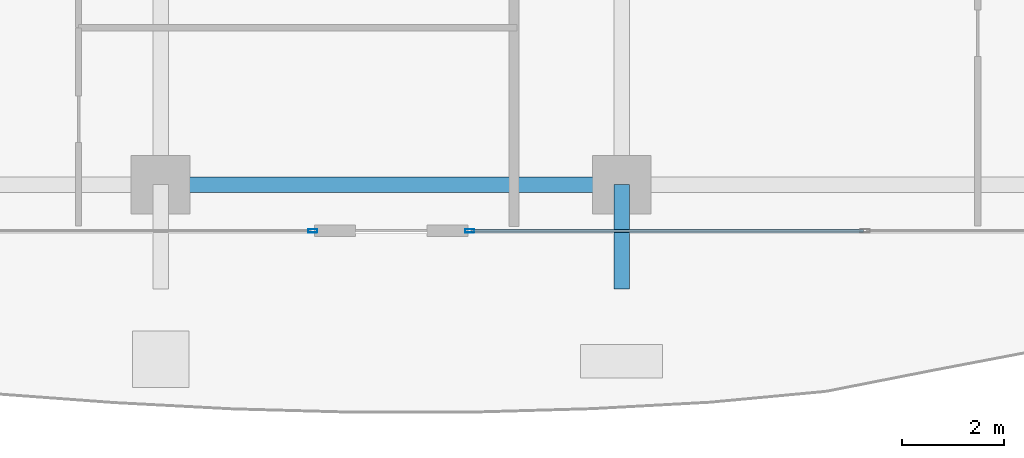
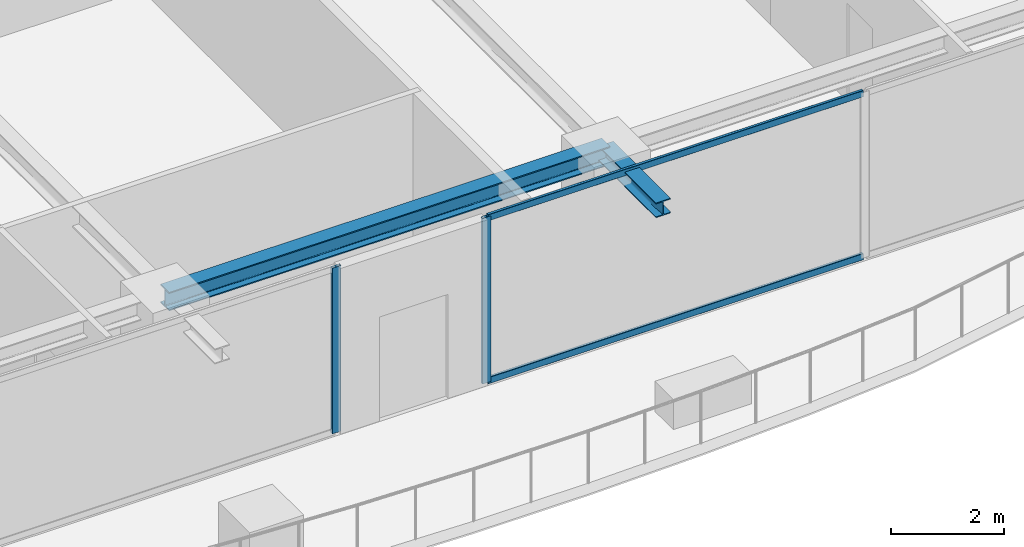
# One storey, part 5 of 37: 4 members, 2 beams, 2 elements without a shape of their own.
"""IFC4 building model written with IfcOpenShell, lengths in metres."""

from ifc_helpers import new_model, si_unit, direction, frame, origin, origin_2d, place, context, subcontext, project, spatial, hollow_rectangle, i_section, extrude, source, transform, mapped, material, layer, layer_set, material_profile, profile_set, type_object, element, aggregate, save


model = new_model("IFC4")

# Units and contexts
model_context = context("Model", 3, precision=1e-05, world=origin(), true_north=direction((0.0, 1.0)))
body_context = subcontext(model_context, "Body", "Model", "MODEL_VIEW")
ifc_project = project(units=[si_unit("LENGTHUNIT", "METRE"), si_unit("AREAUNIT", "SQUARE_METRE"), si_unit("VOLUMEUNIT", "CUBIC_METRE"), si_unit("PLANEANGLEUNIT", "RADIAN"), si_unit("MASSUNIT", "GRAM", prefix="KILO")], contexts=[model_context])

# Site, building, storey
site_placement = place(None, origin())
site = spatial("IfcSite", under=ifc_project, at=site_placement, CompositionType="ELEMENT")
building_placement = place(site_placement, origin())
building = spatial("IfcBuilding", under=site, at=building_placement, Name="Serunith Strait Residences", CompositionType="ELEMENT")
storey_placement = place(building_placement, frame((0.0, 0.0, 260.5)))
storey = spatial("IfcBuildingStorey", under=building, at=storey_placement, Name="L65", CompositionType="ELEMENT", Elevation=260.5)

# Beams
ifc_material_1 = material(Name="Steel S355J2", Category="steel")
ifc_material_profile_1 = material_profile(ifc_material_1, i_section(OverallWidth=0.300048828125, OverallDepth=0.39990234375, WebThickness=0.013427734375, FlangeThickness=0.02392578125, FilletRadius=0.027099609375, at=origin_2d()), Name="HEB 400")
ifc_profile_set_1 = profile_set([ifc_material_profile_1], Name="Steel S355J2")
beam_type_1 = type_object("IfcBeamType", Name="BM-HEB400", PredefinedType="BEAM", material=ifc_profile_set_1)
shared_shape_1 = source(origin(), body_context, "Body", "SweptSolid", [
    extrude(i_section(OverallWidth=0.300048828125, OverallDepth=0.39990234375, WebThickness=0.013427734375, FlangeThickness=0.02392578125, FilletRadius=0.027099609375, at=origin_2d()), origin(), (0.0, 0.0, 1.0), 9.0),
])
beam_1_placement = place(storey_placement, frame((27.89990234375, 2.10009765625, 3.386962890625), z_axis=(1.0, 0.0, 0.0), x_axis=(0.0, 1.0, 0.0)))
element("IfcBeam", 1, at=beam_1_placement, inside=storey, type_object=beam_type_1, Name="L65 Perimeter Ring Beam 02", PredefinedType="BEAM", context=body_context, shape_type="MappedRepresentation", body=[
    mapped(shared_shape_1, transform((0.0, 0.0, 0.0), scale=1.0)),
])
ifc_material_profile_2 = material_profile(ifc_material_1, i_section(OverallWidth=0.300048828125, OverallDepth=0.320068359375, WebThickness=0.011474609375, FlangeThickness=0.0205078125, FilletRadius=0.027099609375, at=origin_2d()), Name="HEB 320")
ifc_profile_set_2 = profile_set([ifc_material_profile_2], Name="Steel S355J2")
beam_type_2 = type_object("IfcBeamType", Name="BM-HEB320", PredefinedType="BEAM", material=ifc_profile_set_2)
shared_shape_2 = source(origin(), body_context, "Body", "SweptSolid", [
    extrude(i_section(OverallWidth=0.300048828125, OverallDepth=0.320068359375, WebThickness=0.011474609375, FlangeThickness=0.0205078125, FilletRadius=0.027099609375, at=origin_2d()), origin(), (0.0, 0.0, 1.0), 2.030029296875),
])
beam_2_placement = place(storey_placement, frame((36.89990234375, 2.10009765625, 3.39697265625), z_axis=(0.0, -1.0, 0.0), x_axis=(1.0, 0.0, 0.0)))
element("IfcBeam", 2, at=beam_2_placement, inside=storey, type_object=beam_type_2, Name="L66 Cantilevered Balcony Rib TC-S3", PredefinedType="BEAM", context=body_context, shape_type="MappedRepresentation", body=[
    mapped(shared_shape_2, transform((0.0, 0.0, 0.0), scale=1.0)),
])

# Curtain wall, member
ifc_material_2 = material(Name="Pale-Champagne Anodised Aluminium", Category="aluminium")
ifc_layer = layer(ifc_material_2, 0.199951171875, Name="Pale-Champagne Anodised Aluminium")
ifc_layer_set = layer_set([ifc_layer], Name="Pale-Champagne Anodised Aluminium")
curtain_wall_type = type_object("IfcCurtainWallType", Name="CW-SYS4", PredefinedType="NOTDEFINED", material=ifc_layer_set)
curtain_wall_1_placement = place(storey_placement, origin())
curtain_wall_1 = element("IfcCurtainWall", 3, at=curtain_wall_1_placement, inside=storey, type_object=curtain_wall_type, Name="L65 S Unitised Fritted Curtain Wall", PredefinedType="NOTDEFINED")
ifc_material_profile_3 = material_profile(ifc_material_2, hollow_rectangle(XDim=0.06494140625, YDim=0.179931640625, WallThickness=0.00341796875, InnerFilletRadius=0.00537109375, OuterFilletRadius=0.0087890625, at=origin_2d()), Name="ALU 180x65x3.5")
ifc_profile_set_3 = profile_set([ifc_material_profile_3], Name="Pale-Champagne Anodised Aluminium")
member_type_1 = type_object("IfcMemberType", Name="CW-SYS4-MULL", PredefinedType="MULLION", material=ifc_profile_set_3)
shared_shape_3 = source(origin(), body_context, "Body", "SweptSolid", [
    extrude(hollow_rectangle(XDim=0.06494140625, YDim=0.179931640625, WallThickness=0.00341796875, InnerFilletRadius=0.00537109375, OuterFilletRadius=0.0087890625, at=origin_2d()), origin(), (0.0, 0.0, 1.0), 3.574951171875),
])
member_1_placement = place(storey_placement, frame((30.867431640625, 1.199951171875, 0.0), z_axis=(0.0, 0.0, 1.0), x_axis=(0.0, 1.0, 0.0)))
member_1 = element("IfcMember", 4, at=member_1_placement, type_object=member_type_1, Name="CW-4 mullion 3", PredefinedType="MULLION", context=body_context, shape_type="MappedRepresentation", body=[
    mapped(shared_shape_3, transform((0.0, 0.0, 0.0), scale=1.0)),
])
aggregate(curtain_wall_1, [member_1])

# Curtain wall, members
curtain_wall_2_placement = place(storey_placement, origin())
curtain_wall_2 = element("IfcCurtainWall", 5, at=curtain_wall_2_placement, inside=storey, type_object=curtain_wall_type, Name="L65 S Unitised Fritted Curtain Wall", PredefinedType="NOTDEFINED")
member_2_placement = place(storey_placement, frame((33.9326171875, 1.199951171875, 0.0), z_axis=(0.0, 0.0, 1.0), x_axis=(0.0, 1.0, 0.0)))
member_2 = element("IfcMember", 6, at=member_2_placement, type_object=member_type_1, Name="CW-4 mullion 1", PredefinedType="MULLION", context=body_context, shape_type="MappedRepresentation", body=[
    mapped(shared_shape_3, transform((0.0, 0.0, 0.0), scale=1.0)),
])
ifc_material_profile_4 = material_profile(ifc_material_2, hollow_rectangle(XDim=0.06005859375, YDim=0.139892578125, WallThickness=0.00341796875, InnerFilletRadius=0.00537109375, OuterFilletRadius=0.0087890625, at=origin_2d()), Name="ALU 140x60x3.5")
ifc_profile_set_4 = profile_set([ifc_material_profile_4], Name="Pale-Champagne Anodised Aluminium")
member_type_2 = type_object("IfcMemberType", Name="CW-SYS4-TRAN", PredefinedType="USERDEFINED", material=ifc_profile_set_4)
shared_shape_4 = source(origin(), body_context, "Body", "SweptSolid", [
    extrude(hollow_rectangle(XDim=0.06005859375, YDim=0.139892578125, WallThickness=0.00341796875, InnerFilletRadius=0.00537109375, OuterFilletRadius=0.0087890625, at=origin_2d()), origin(), (0.0, 0.0, 1.0), 7.65234375),
])
member_3_placement = place(storey_placement, frame((33.965087890625, 1.199951171875, 0.030029296875), z_axis=(1.0, 0.0, 0.0), x_axis=(0.0, 1.0, 0.0)))
member_3 = element("IfcMember", 7, at=member_3_placement, type_object=member_type_2, Name="CW-4 transom 1.1", ObjectType="TRANSOM", PredefinedType="USERDEFINED", context=body_context, shape_type="MappedRepresentation", body=[
    mapped(shared_shape_4, transform((0.0, 0.0, 0.0), scale=1.0)),
])
member_4_placement = place(storey_placement, frame((33.965087890625, 1.199951171875, 3.544921875), z_axis=(1.0, 0.0, 0.0), x_axis=(0.0, 1.0, 0.0)))
member_4 = element("IfcMember", 8, at=member_4_placement, type_object=member_type_2, Name="CW-4 transom 1.2", ObjectType="TRANSOM", PredefinedType="USERDEFINED", context=body_context, shape_type="MappedRepresentation", body=[
    mapped(shared_shape_4, transform((0.0, 0.0, 0.0), scale=1.0)),
])
aggregate(curtain_wall_2, [member_2, member_3, member_4])

save(model, "model.ifc")
